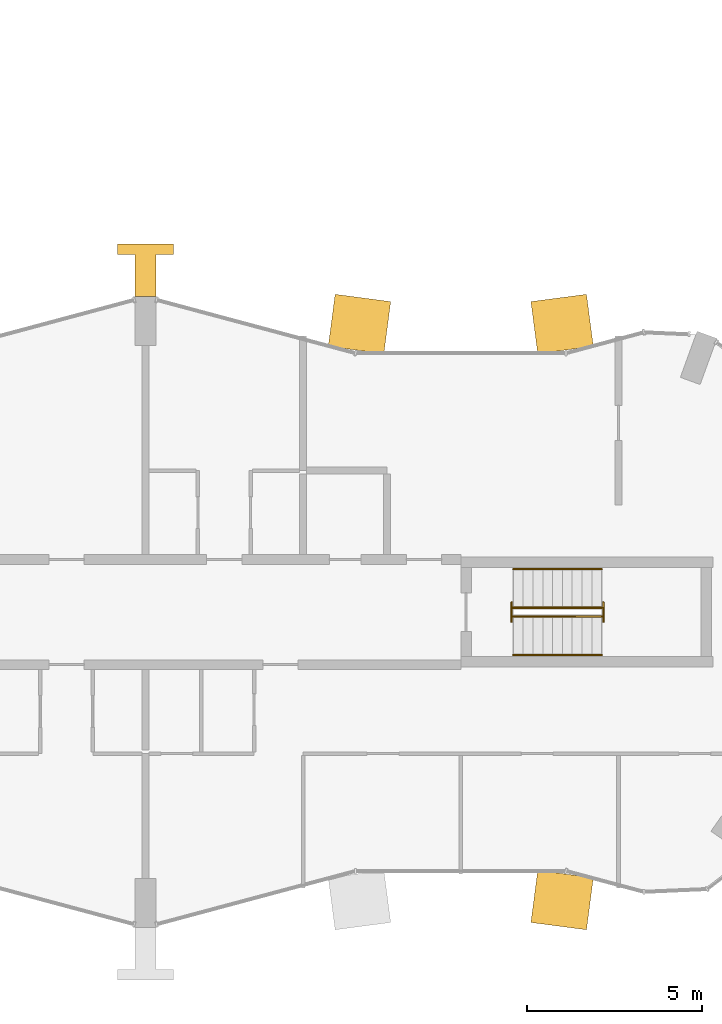
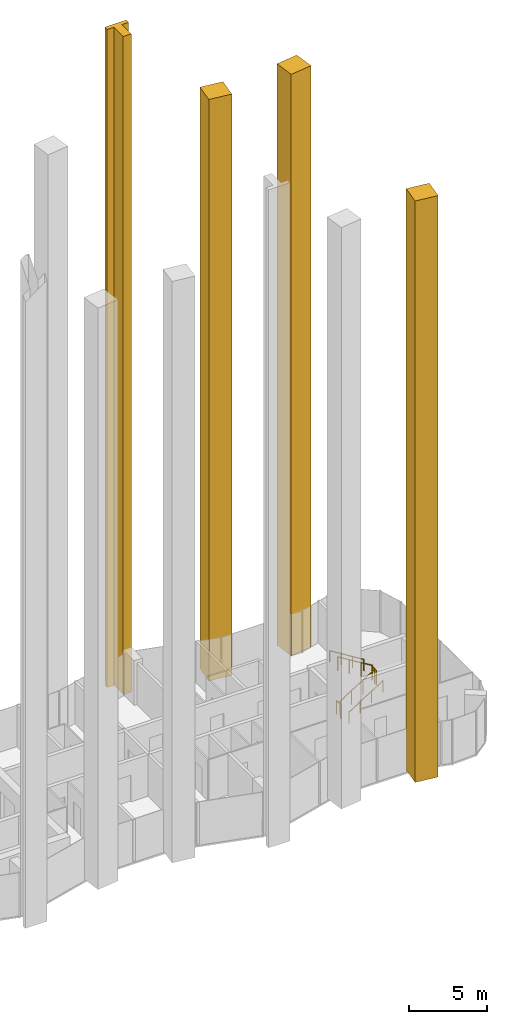
# One storey, part 16 of 17: 6 railings, 4 coverings.
"""IFC4 building model written with IfcOpenShell, lengths in metres."""

from ifc_helpers import new_model, si_unit, direction, frame, origin, origin_2d, place, context, subcontext, project, spatial, polyline, circle, outline, extrude, material, type_object, element, save


model = new_model("IFC4")

# Units and contexts
model_context = context("Model", 3, precision=1e-05, world=origin(), true_north=direction((0.0, 1.0)))
body_context = subcontext(model_context, "Body", "Model", "MODEL_VIEW")
ifc_project = project(units=[si_unit("LENGTHUNIT", "METRE"), si_unit("AREAUNIT", "SQUARE_METRE"), si_unit("VOLUMEUNIT", "CUBIC_METRE"), si_unit("PLANEANGLEUNIT", "RADIAN"), si_unit("MASSUNIT", "GRAM", prefix="KILO")], contexts=[model_context])

# Site, building, storey
site_placement = place(None, origin())
site = spatial("IfcSite", under=ifc_project, at=site_placement, CompositionType="ELEMENT")
building_placement = place(site_placement, origin())
building = spatial("IfcBuilding", under=site, at=building_placement, Name="Plateau Cross Towers", CompositionType="ELEMENT")
storey_placement = place(building_placement, frame((0.0, 0.0, 190.89990234375)))
storey = spatial("IfcBuildingStorey", under=building, at=storey_placement, Name="L49", CompositionType="ELEMENT", Elevation=190.89990234375)

# Coverings
ifc_material_1 = material(Name="Light precast concrete cladding C40/50", Category="concrete")
covering_type_1 = type_object("IfcCoveringType", Name="Flute pier cladding 1600x1500", PredefinedType="CLADDING", material=ifc_material_1)
covering_1_placement = place(storey_placement, origin())
element("IfcCovering", 1, at=covering_1_placement, inside=storey, type_object=covering_type_1, Name="Flute pier", PredefinedType="CLADDING", context=body_context, shape_type="SweptSolid", body=[
    extrude(outline(polyline([(48.7822265625, 16.580322265625), (47.19580078125, 16.37158203125), (47.000244140625, 17.85888671875), (48.58642578125, 18.067626953125), (48.7822265625, 16.580322265625)])), origin(), (0.0, 0.0, 1.0), 45.5),
])
covering_2_placement = place(storey_placement, origin())
element("IfcCovering", 2, at=covering_2_placement, inside=storey, type_object=covering_type_1, Name="Flute pier", PredefinedType="CLADDING", context=body_context, shape_type="SweptSolid", body=[
    extrude(outline(polyline([(42.80419921875, 16.37158203125), (41.2177734375, 16.580322265625), (41.41357421875, 18.067626953125), (42.999755859375, 17.85888671875), (42.80419921875, 16.37158203125)])), origin(), (0.0, 0.0, 1.0), 45.5),
])
covering_3_placement = place(storey_placement, origin())
element("IfcCovering", 3, at=covering_3_placement, inside=storey, type_object=covering_type_1, Name="Flute pier", PredefinedType="CLADDING", context=body_context, shape_type="SweptSolid", body=[
    extrude(outline(polyline([(47.19580078125, 1.62841796875), (48.7822265625, 1.419677734375), (48.58642578125, -0.067626953125), (47.000244140625, 0.14111328125), (47.19580078125, 1.62841796875)])), origin(), (0.0, 0.0, 1.0), 45.5),
])
covering_type_2 = type_object("IfcCoveringType", Name="Pier fin cladding 1600x1500", PredefinedType="CLADDING", material=ifc_material_1)
covering_4_placement = place(storey_placement, origin())
element("IfcCovering", 4, at=covering_4_placement, inside=storey, type_object=covering_type_2, Name="Pier fin PR5", PredefinedType="CLADDING", context=body_context, shape_type="SweptSolid", body=[
    extrude(outline(polyline([(35.699951171875, 18.0), (36.300048828125, 18.0), (36.300048828125, 19.199951171875), (36.800048828125, 19.199951171875), (36.800048828125, 19.5), (35.199951171875, 19.5), (35.199951171875, 19.199951171875), (35.699951171875, 19.199951171875), (35.699951171875, 18.0)])), origin(), (0.0, 0.0, 1.0), 51.5),
])

# Railings
ifc_material_2 = material(Name="Stainless steel and toughened glass", Category="steel")
railing_type_1 = type_object("IfcRailingType", Name="RL-GUARD-1100", PredefinedType="GUARDRAIL", material=ifc_material_2)
railing_1_placement = place(storey_placement, frame((46.5, 8.875, 0.175048828125)))
element("IfcRailing", 5, at=railing_1_placement, inside=storey, type_object=railing_type_1, Name="L49 ES-E stair guard 1", PredefinedType="GUARDRAIL", context=body_context, shape_type="SweptSolid", body=[
    extrude(circle(Radius=0.02392578125, at=origin_2d()), frame((0.0, 0.0, 1.076171875), z_axis=(0.848007534815, 0.0, 0.529984170421), x_axis=(0.0, 1.0, 0.0)), (0.0, 0.0, 1.0), 2.9716796875),
    extrude(circle(Radius=0.02099609375, at=origin_2d()), origin(), (0.0, 0.0, 1.0), 1.052001953125),
    extrude(circle(Radius=0.02099609375, at=origin_2d()), frame((0.840087890625, 0.0, 0.52490234375)), (0.0, 0.0, 1.0), 1.052001953125),
    extrude(circle(Radius=0.02099609375, at=origin_2d()), frame((1.679931640625, 0.0, 1.050048828125)), (0.0, 0.0, 1.0), 1.052001953125),
    extrude(circle(Radius=0.02099609375, at=origin_2d()), frame((2.52001953125, 0.0, 1.574951171875)), (0.0, 0.0, 1.0), 1.052001953125),
])
railing_2_placement = place(storey_placement, frame((49.070068359375, 8.72509765625, 1.75)))
element("IfcRailing", 6, at=railing_2_placement, inside=storey, type_object=railing_type_1, Name="L49 ES-E stair guard 2", PredefinedType="GUARDRAIL", context=body_context, shape_type="SweptSolid", body=[
    extrude(circle(Radius=0.02392578125, at=origin_2d()), frame((0.0, 0.0, 1.076171875), z_axis=(0.0, 1.0, 0.0), x_axis=(-1.0, 0.0, 0.0)), (0.0, 0.0, 1.0), 0.5498046875),
    extrude(circle(Radius=0.02099609375, at=origin_2d()), origin(), (0.0, 0.0, 1.0), 1.052001953125),
    extrude(circle(Radius=0.02099609375, at=origin_2d()), frame((0.0, 0.5498046875, 0.0)), (0.0, 0.0, 1.0), 1.052001953125),
])
railing_3_placement = place(storey_placement, frame((49.02001953125, 9.125, 1.925048828125)))
element("IfcRailing", 7, at=railing_3_placement, inside=storey, type_object=railing_type_1, Name="L49 ES-E stair guard 3", PredefinedType="GUARDRAIL", context=body_context, shape_type="SweptSolid", body=[
    extrude(circle(Radius=0.02392578125, at=origin_2d()), frame((0.0, 0.0, 1.076171875), z_axis=(-0.852638500773, 0.0, 0.522501279423), x_axis=(0.0, -1.0, 0.0)), (0.0, 0.0, 1.0), 3.01416015625),
    extrude(circle(Radius=0.02099609375, at=origin_2d()), origin(), (0.0, 0.0, 1.0), 1.052001953125),
    extrude(circle(Radius=0.02099609375, at=origin_2d()), frame((-0.856689453125, 0.0, 0.52490234375)), (0.0, 0.0, 1.0), 1.052001953125),
    extrude(circle(Radius=0.02099609375, at=origin_2d()), frame((-1.71337890625, 0.0, 1.050048828125)), (0.0, 0.0, 1.0), 1.052001953125),
    extrude(circle(Radius=0.02099609375, at=origin_2d()), frame((-2.570068359375, 0.0, 1.574951171875)), (0.0, 0.0, 1.0), 1.052001953125),
])
railing_4_placement = place(storey_placement, frame((46.449951171875, 8.72509765625, 0.0)))
element("IfcRailing", 8, at=railing_4_placement, inside=storey, type_object=railing_type_1, Name="L49 ES-E stair guard 4", PredefinedType="GUARDRAIL", context=body_context, shape_type="SweptSolid", body=[
    extrude(circle(Radius=0.02392578125, at=origin_2d()), frame((0.0, 0.0, 1.076171875), z_axis=(0.0, 1.0, 0.0), x_axis=(-1.0, 0.0, 0.0)), (0.0, 0.0, 1.0), 0.5498046875),
    extrude(circle(Radius=0.02099609375, at=origin_2d()), origin(), (0.0, 0.0, 1.0), 1.052001953125),
    extrude(circle(Radius=0.02099609375, at=origin_2d()), frame((0.0, 0.5498046875, 0.0)), (0.0, 0.0, 1.0), 1.052001953125),
])
ifc_material_3 = material(Name="Black anodised aluminium", Category="aluminium")
railing_type_2 = type_object("IfcRailingType", Name="RL-HANDRAIL-900", PredefinedType="HANDRAIL", material=ifc_material_3)
railing_5_placement = place(storey_placement, frame((46.5, 7.77490234375, 0.175048828125)))
element("IfcRailing", 9, at=railing_5_placement, inside=storey, type_object=railing_type_2, Name="L49 ES-E stair handrail 1", PredefinedType="HANDRAIL", context=body_context, shape_type="SweptSolid", body=[
    extrude(circle(Radius=0.02392578125, at=origin_2d()), frame((0.0, 0.0, 0.8759765625), z_axis=(0.848007534815, 0.0, 0.529984170421), x_axis=(0.0, 1.0, 0.0)), (0.0, 0.0, 1.0), 2.9716796875),
    extrude(circle(Radius=0.02099609375, at=origin_2d()), origin(), (0.0, 0.0, 1.0), 0.851806640625),
    extrude(circle(Radius=0.02099609375, at=origin_2d()), frame((0.840087890625, 0.0, 0.52490234375)), (0.0, 0.0, 1.0), 0.851806640625),
    extrude(circle(Radius=0.02099609375, at=origin_2d()), frame((1.679931640625, 0.0, 1.050048828125)), (0.0, 0.0, 1.0), 0.851806640625),
    extrude(circle(Radius=0.02099609375, at=origin_2d()), frame((2.52001953125, 0.0, 1.574951171875)), (0.0, 0.0, 1.0), 0.851806640625),
])
railing_6_placement = place(storey_placement, frame((49.02001953125, 10.22509765625, 1.925048828125)))
element("IfcRailing", 10, at=railing_6_placement, inside=storey, type_object=railing_type_2, Name="L49 ES-E stair handrail 2", PredefinedType="HANDRAIL", context=body_context, shape_type="SweptSolid", body=[
    extrude(circle(Radius=0.02392578125, at=origin_2d()), frame((0.0, 0.0, 0.8759765625), z_axis=(-0.848007534815, 0.0, 0.529984170421), x_axis=(0.0, -1.0, 0.0)), (0.0, 0.0, 1.0), 2.9716796875),
    extrude(circle(Radius=0.02099609375, at=origin_2d()), origin(), (0.0, 0.0, 1.0), 0.851806640625),
    extrude(circle(Radius=0.02099609375, at=origin_2d()), frame((-0.840087890625, 0.0, 0.52490234375)), (0.0, 0.0, 1.0), 0.851806640625),
    extrude(circle(Radius=0.02099609375, at=origin_2d()), frame((-1.679931640625, 0.0, 1.050048828125)), (0.0, 0.0, 1.0), 0.851806640625),
    extrude(circle(Radius=0.02099609375, at=origin_2d()), frame((-2.52001953125, 0.0, 1.574951171875)), (0.0, 0.0, 1.0), 0.851806640625),
])

save(model, "model.ifc")
